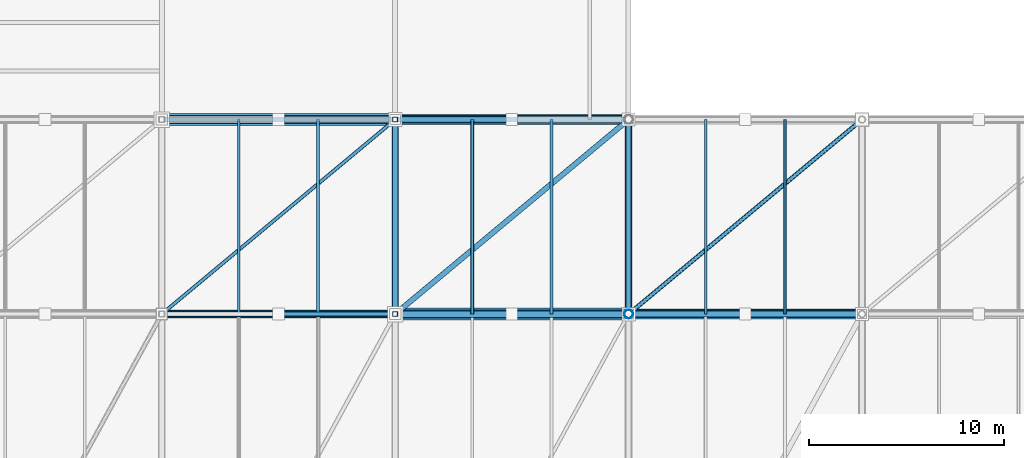
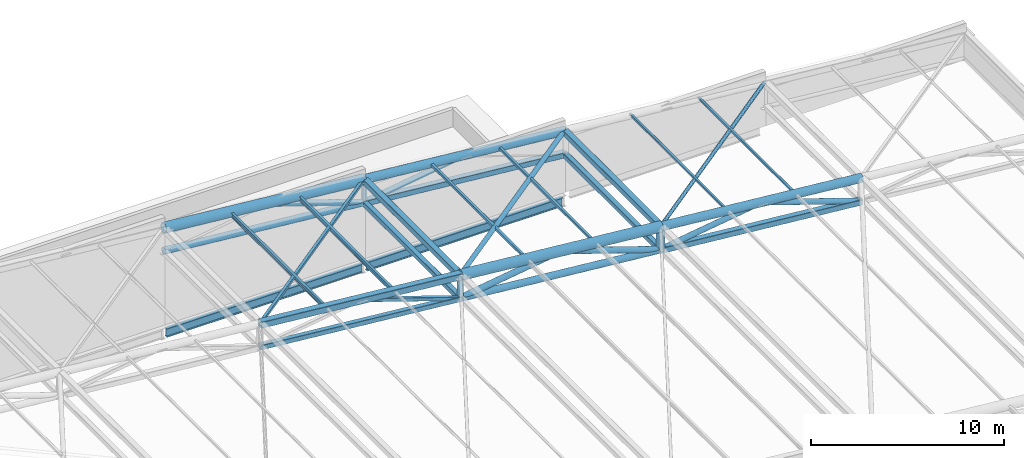
# One storey, part 37 of 44: 33 members, 2 beams.
"""IFC4 building model written with IfcOpenShell, lengths in metres."""

from ifc_helpers import new_model, si_unit, direction, frame, origin, origin_2d, place, context, subcontext, project, spatial, hollow_rectangle, hollow_circle, i_section, extrude, material, material_profile, profile_set, type_object, element, save


model = new_model("IFC4")

# Units and contexts
model_context = context("Model", 3, precision=1e-05, world=origin(), true_north=direction((0.0, 1.0)))
body_context = subcontext(model_context, "Body", "Model", "MODEL_VIEW")
ifc_project = project(units=[si_unit("LENGTHUNIT", "METRE"), si_unit("AREAUNIT", "SQUARE_METRE"), si_unit("VOLUMEUNIT", "CUBIC_METRE"), si_unit("PLANEANGLEUNIT", "RADIAN"), si_unit("MASSUNIT", "GRAM", prefix="KILO")], contexts=[model_context])

# Site, building, storey
site_placement = place(None, origin())
site = spatial("IfcSite", under=ifc_project, at=site_placement, CompositionType="ELEMENT")
building_placement = place(site_placement, origin())
building = spatial("IfcBuilding", under=site, at=building_placement, Name="Brinegate Civic Arena", CompositionType="ELEMENT")
storey_placement = place(building_placement, frame((0.0, 0.0, 29.39990234375)))
storey = spatial("IfcBuildingStorey", under=building, at=storey_placement, Name="RF", CompositionType="ELEMENT", Elevation=29.39990234375)

# Members
ifc_material = material(Name="Steel S355", Category="steel")
ifc_material_profile_1 = material_profile(ifc_material, hollow_rectangle(XDim=0.139892578125, YDim=0.139892578125, WallThickness=0.008056640625, InnerFilletRadius=0.008056640625, OuterFilletRadius=0.01611328125, at=origin_2d()), Name="SHS140X8")
ifc_profile_set_1 = profile_set([ifc_material_profile_1], Name="Steel S355")
member_type_1 = type_object("IfcMemberType", Name="RF-PURLIN-SHS140", PredefinedType="PURLIN", material=ifc_profile_set_1)
for number, where, z_axis, x_axis, name in (
    (1, (135.9599609375, 104.0, 3.47412109375), (0.0, 1.0, 0.0), (-1.0, 0.0, 0.0), "Roof Purlin RFP-123"),
    (2, (140.0400390625, 104.0, 3.091064453125), (0.0, 1.0, 0.0), (-1.0, 0.0, 0.0), "Roof Purlin RFP-124"),
):
    element("IfcMember", number, at=place(storey_placement, frame(where, z_axis=z_axis, x_axis=x_axis)), inside=storey, type_object=member_type_1, Name=name, PredefinedType="PURLIN", context=body_context, shape_type="SweptSolid", body=[
        extrude(hollow_rectangle(XDim=0.139892578125, YDim=0.139892578125, WallThickness=0.008056640625, InnerFilletRadius=0.008056640625, OuterFilletRadius=0.01611328125, at=origin_2d()), origin(), (0.0, 0.0, 1.0), 10.0),
    ])
ifc_material_profile_2 = material_profile(ifc_material, hollow_rectangle(XDim=0.159912109375, YDim=0.159912109375, WallThickness=0.008056640625, InnerFilletRadius=0.008056640625, OuterFilletRadius=0.01611328125, at=origin_2d()), Name="SHS160X8")
ifc_profile_set_2 = profile_set([ifc_material_profile_2], Name="Steel S355")
member_type_2 = type_object("IfcMemberType", Name="RF-PURLIN-SHS160", PredefinedType="PURLIN", material=ifc_profile_set_2)
for number, where, z_axis, x_axis, name in (
    (3, (123.9599609375, 104.0, 4.589111328125), (0.0, 1.0, 0.0), (-1.0, 0.0, 0.0), "Roof Purlin RFP-121"),
    (4, (128.0400390625, 104.0, 4.2060546875), (0.0, 1.0, 0.0), (-1.0, 0.0, 0.0), "Roof Purlin RFP-122"),
):
    element("IfcMember", number, at=place(storey_placement, frame(where, z_axis=z_axis, x_axis=x_axis)), inside=storey, type_object=member_type_2, Name=name, PredefinedType="PURLIN", context=body_context, shape_type="SweptSolid", body=[
        extrude(hollow_rectangle(XDim=0.159912109375, YDim=0.159912109375, WallThickness=0.008056640625, InnerFilletRadius=0.008056640625, OuterFilletRadius=0.01611328125, at=origin_2d()), origin(), (0.0, 0.0, 1.0), 10.0),
    ])
ifc_material_profile_3 = material_profile(ifc_material, i_section(OverallWidth=0.14794921875, OverallDepth=0.26611328125, WebThickness=0.008056640625, FlangeThickness=0.012939453125, FilletRadius=0.011962890625, at=origin_2d()), Name="W250X45")
ifc_profile_set_3 = profile_set([ifc_material_profile_3], Name="Steel S355")
member_type_3 = type_object("IfcMemberType", Name="RF-PURLIN-W250", PredefinedType="PURLIN", material=ifc_profile_set_3)
for number, where, z_axis, x_axis, name in (
    (5, (111.9599609375, 104.0, 5.6611328125), (0.0, 1.0, 0.0), (-1.0, 0.0, 0.0), "Roof Purlin RFP-119"),
    (6, (116.0400390625, 104.0, 5.278076171875), (0.0, 1.0, 0.0), (-1.0, 0.0, 0.0), "Roof Purlin RFP-120"),
):
    element("IfcMember", number, at=place(storey_placement, frame(where, z_axis=z_axis, x_axis=x_axis)), inside=storey, type_object=member_type_3, Name=name, PredefinedType="PURLIN", context=body_context, shape_type="SweptSolid", body=[
        extrude(i_section(OverallWidth=0.14794921875, OverallDepth=0.26611328125, WebThickness=0.008056640625, FlangeThickness=0.012939453125, FilletRadius=0.011962890625, at=origin_2d()), origin(), (0.0, 0.0, 1.0), 10.0),
    ])
ifc_material_profile_4 = material_profile(ifc_material, hollow_circle(Radius=0.109619140625, WallThickness=0.010009765625, at=origin_2d()), Name="CHS219X10")
ifc_profile_set_4 = profile_set([ifc_material_profile_4], Name="Steel S355")
member_type_4 = type_object("IfcMemberType", Name="SF-BRACE-CHS219", PredefinedType="BRACE", material=ifc_profile_set_4)
member_1_placement = place(storey_placement, frame((132.0, 104.0, 3.800048828125), z_axis=(0.766236619907, 0.638530516589, -0.071834683116), x_axis=(-0.640184399664, 0.768221279597, 0.0)))
element("IfcMember", 7, at=member_1_placement, inside=storey, type_object=member_type_4, Name="Roof Plan Diagonal Brace PL-7-8", PredefinedType="BRACE", context=body_context, shape_type="SweptSolid", body=[
    extrude(hollow_circle(Radius=0.109619140625, WallThickness=0.010009765625, at=origin_2d()), origin(), (0.0, 0.0, 1.0), 15.660888671875),
])
ifc_material_profile_5 = material_profile(ifc_material, hollow_circle(Radius=0.136474609375, WallThickness=0.011962890625, at=origin_2d()), Name="CHS273X12")
ifc_profile_set_5 = profile_set([ifc_material_profile_5], Name="Steel S355")
member_type_5 = type_object("IfcMemberType", Name="SF-BRACE-CHS273", PredefinedType="BRACE", material=ifc_profile_set_5)
member_2_placement = place(storey_placement, frame((120.0, 104.0, 4.925048828125), z_axis=(0.766236619907, 0.638530516589, -0.071834683116), x_axis=(-0.640184399664, 0.768221279597, 0.0)))
element("IfcMember", 8, at=member_2_placement, inside=storey, type_object=member_type_5, Name="Roof Plan Diagonal Brace PL-7-7", PredefinedType="BRACE", context=body_context, shape_type="SweptSolid", body=[
    extrude(hollow_circle(Radius=0.136474609375, WallThickness=0.011962890625, at=origin_2d()), origin(), (0.0, 0.0, 1.0), 15.660888671875),
])
ifc_material_profile_6 = material_profile(ifc_material, hollow_circle(Radius=0.162109375, WallThickness=0.011962890625, at=origin_2d()), Name="CHS324X12")
ifc_profile_set_6 = profile_set([ifc_material_profile_6], Name="Steel S355")
member_type_6 = type_object("IfcMemberType", Name="SF-BRACE-CHS324", PredefinedType="BRACE", material=ifc_profile_set_6)
member_3_placement = place(storey_placement, frame((132.0, 104.0, 2.35009765625), z_axis=(0.989226142737, 0.0, 0.1463954867), x_axis=(0.0, 1.0, 0.0)))
element("IfcMember", 9, at=member_3_placement, inside=storey, type_object=member_type_6, Name="Space Frame Web Brace D1-7-8", PredefinedType="BRACE", context=body_context, shape_type="SweptSolid", body=[
    extrude(hollow_circle(Radius=0.162109375, WallThickness=0.011962890625, at=origin_2d()), origin(), (0.0, 0.0, 1.0), 6.0654296875),
])
member_4_placement = place(storey_placement, frame((138.0, 104.0, 3.238037109375), z_axis=(0.948068139281, 0.0, -0.318067293635), x_axis=(0.0, 1.0, 0.0)))
element("IfcMember", 10, at=member_4_placement, inside=storey, type_object=member_type_6, Name="Space Frame Web Brace D2-7-8", PredefinedType="BRACE", context=body_context, shape_type="SweptSolid", body=[
    extrude(hollow_circle(Radius=0.162109375, WallThickness=0.011962890625, at=origin_2d()), origin(), (0.0, 0.0, 1.0), 6.32861328125),
])
member_5_placement = place(storey_placement, frame((120.0, 114.0, 3.47509765625), z_axis=(0.989226142737, 0.0, 0.1463954867), x_axis=(0.0, 1.0, 0.0)))
element("IfcMember", 11, at=member_5_placement, inside=storey, type_object=member_type_6, Name="Space Frame Web Brace D1-8-7", PredefinedType="BRACE", context=body_context, shape_type="SweptSolid", body=[
    extrude(hollow_circle(Radius=0.162109375, WallThickness=0.011962890625, at=origin_2d()), origin(), (0.0, 0.0, 1.0), 6.0654296875),
])
ifc_material_profile_7 = material_profile(ifc_material, hollow_circle(Radius=0.177978515625, WallThickness=0.013916015625, at=origin_2d()), Name="CHS356X14")
ifc_profile_set_7 = profile_set([ifc_material_profile_7], Name="Steel S355")
member_type_7 = type_object("IfcMemberType", Name="SF-BRACE-CHS356", PredefinedType="BRACE", material=ifc_profile_set_7)
member_6_placement = place(storey_placement, frame((120.0, 104.0, 3.47509765625), z_axis=(0.989226142737, 0.0, 0.1463954867), x_axis=(0.0, 1.0, 0.0)))
element("IfcMember", 12, at=member_6_placement, inside=storey, type_object=member_type_7, Name="Space Frame Web Brace D1-7-7", PredefinedType="BRACE", context=body_context, shape_type="SweptSolid", body=[
    extrude(hollow_circle(Radius=0.177978515625, WallThickness=0.013916015625, at=origin_2d()), origin(), (0.0, 0.0, 1.0), 6.0654296875),
])
for number, where, z_axis, x_axis, name in (
    (13, (126.0, 104.0, 4.363037109375), (0.948068139281, 0.0, -0.318067293635), (0.0, 1.0, 0.0), "Space Frame Web Brace D2-7-7"),
    (14, (114.0, 114.0, 5.488037109375), (0.948068139281, 0.0, -0.318067293635), (0.0, 1.0, 0.0), "Space Frame Web Brace D2-8-6"),
):
    element("IfcMember", number, at=place(storey_placement, frame(where, z_axis=z_axis, x_axis=x_axis)), inside=storey, type_object=member_type_7, Name=name, PredefinedType="BRACE", context=body_context, shape_type="SweptSolid", body=[
        extrude(hollow_circle(Radius=0.177978515625, WallThickness=0.013916015625, at=origin_2d()), origin(), (0.0, 0.0, 1.0), 6.32861328125),
    ])
ifc_material_profile_8 = material_profile(ifc_material, hollow_rectangle(XDim=0.179931640625, YDim=0.179931640625, WallThickness=0.010009765625, InnerFilletRadius=0.010009765625, OuterFilletRadius=0.02001953125, at=origin_2d()), Name="SHS180X10")
ifc_profile_set_8 = profile_set([ifc_material_profile_8], Name="Steel S355")
member_type_8 = type_object("IfcMemberType", Name="SF-BRACE-SHS180", PredefinedType="BRACE", material=ifc_profile_set_8)
member_7_placement = place(storey_placement, frame((108.0, 104.0, 6.050048828125), z_axis=(0.766236619907, 0.638530516589, -0.071834683116), x_axis=(-0.640184399664, 0.768221279597, 0.0)))
element("IfcMember", 15, at=member_7_placement, inside=storey, type_object=member_type_8, Name="Roof Plan Diagonal Brace PL-7-6", PredefinedType="BRACE", context=body_context, shape_type="SweptSolid", body=[
    extrude(hollow_rectangle(XDim=0.179931640625, YDim=0.179931640625, WallThickness=0.010009765625, InnerFilletRadius=0.010009765625, OuterFilletRadius=0.02001953125, at=origin_2d()), origin(), (0.0, 0.0, 1.0), 15.660888671875),
])
ifc_material_profile_9 = material_profile(ifc_material, hollow_rectangle(XDim=0.219970703125, YDim=0.219970703125, WallThickness=0.011962890625, InnerFilletRadius=0.011962890625, OuterFilletRadius=0.02392578125, at=origin_2d()), Name="SHS220X12")
ifc_profile_set_9 = profile_set([ifc_material_profile_9], Name="Steel S355")
member_type_9 = type_object("IfcMemberType", Name="SF-BRACE-SHS220", PredefinedType="BRACE", material=ifc_profile_set_9)
member_8_placement = place(storey_placement, frame((114.0, 104.0, 5.488037109375), z_axis=(0.948068139281, 0.0, -0.318067293635), x_axis=(0.0, 1.0, 0.0)))
element("IfcMember", 16, at=member_8_placement, inside=storey, type_object=member_type_9, Name="Space Frame Web Brace D2-7-6", PredefinedType="BRACE", context=body_context, shape_type="SweptSolid", body=[
    extrude(hollow_rectangle(XDim=0.219970703125, YDim=0.219970703125, WallThickness=0.011962890625, InnerFilletRadius=0.011962890625, OuterFilletRadius=0.02392578125, at=origin_2d()), origin(), (0.0, 0.0, 1.0), 6.32861328125),
])
ifc_material_profile_10 = material_profile(ifc_material, hollow_circle(Radius=0.202880859375, WallThickness=0.01611328125, at=origin_2d()), Name="CHS406X16")
ifc_profile_set_10 = profile_set([ifc_material_profile_10], Name="Steel S355")
member_type_10 = type_object("IfcMemberType", Name="SF-CHORD-CHS406", PredefinedType="CHORD", material=ifc_profile_set_10)
for number, where, z_axis, x_axis, name in (
    (17, (120.0, 104.0, 3.47509765625), (0.995634226059, 0.0, -0.093340708693), (0.0, 1.0, 0.0), "Space Frame Bottom Chord BX-7-7"),
    (18, (108.0, 114.0, 4.60009765625), (0.995634226059, 0.0, -0.093340708693), (0.0, 1.0, 0.0), "Space Frame Bottom Chord BX-8-6"),
):
    element("IfcMember", number, at=place(storey_placement, frame(where, z_axis=z_axis, x_axis=x_axis)), inside=storey, type_object=member_type_10, Name=name, PredefinedType="CHORD", context=body_context, shape_type="SweptSolid", body=[
        extrude(hollow_circle(Radius=0.202880859375, WallThickness=0.01611328125, at=origin_2d()), origin(), (0.0, 0.0, 1.0), 12.052734375),
    ])
ifc_material_profile_11 = material_profile(ifc_material, hollow_circle(Radius=0.25390625, WallThickness=0.02001953125, at=origin_2d()), Name="CHS508X20")
ifc_profile_set_11 = profile_set([ifc_material_profile_11], Name="Steel S355")
member_type_11 = type_object("IfcMemberType", Name="SF-CHORD-CHS508", PredefinedType="CHORD", material=ifc_profile_set_11)
for number, where, z_axis, x_axis, name in (
    (19, (132.0, 104.0, 3.800048828125), (0.995634226059, 0.0, -0.093340708693), (0.0, 1.0, 0.0), "Space Frame Top Chord TX-7-8"),
    (20, (120.0, 114.0, 4.925048828125), (0.995634226059, 0.0, -0.093340708693), (0.0, 1.0, 0.0), "Space Frame Top Chord TX-8-7"),
):
    element("IfcMember", number, at=place(storey_placement, frame(where, z_axis=z_axis, x_axis=x_axis)), inside=storey, type_object=member_type_11, Name=name, PredefinedType="CHORD", context=body_context, shape_type="SweptSolid", body=[
        extrude(hollow_circle(Radius=0.25390625, WallThickness=0.02001953125, at=origin_2d()), origin(), (0.0, 0.0, 1.0), 12.052734375),
    ])
ifc_material_profile_12 = material_profile(ifc_material, hollow_circle(Radius=0.304931640625, WallThickness=0.02490234375, at=origin_2d()), Name="CHS610X25")
ifc_profile_set_12 = profile_set([ifc_material_profile_12], Name="Steel S355")
member_type_12 = type_object("IfcMemberType", Name="SF-CHORD-CHS610", PredefinedType="CHORD", material=ifc_profile_set_12)
for number, where, z_axis, x_axis, name in (
    (21, (120.0, 104.0, 4.925048828125), (0.995634226059, 0.0, -0.093340708693), (0.0, 1.0, 0.0), "Space Frame Top Chord TX-7-7"),
    (22, (108.0, 114.0, 6.050048828125), (0.995634226059, 0.0, -0.093340708693), (0.0, 1.0, 0.0), "Space Frame Top Chord TX-8-6"),
):
    element("IfcMember", number, at=place(storey_placement, frame(where, z_axis=z_axis, x_axis=x_axis)), inside=storey, type_object=member_type_12, Name=name, PredefinedType="CHORD", context=body_context, shape_type="SweptSolid", body=[
        extrude(hollow_circle(Radius=0.304931640625, WallThickness=0.02490234375, at=origin_2d()), origin(), (0.0, 0.0, 1.0), 12.052734375),
    ])
ifc_material_profile_13 = material_profile(ifc_material, hollow_rectangle(XDim=0.300048828125, YDim=0.300048828125, WallThickness=0.01611328125, InnerFilletRadius=0.01611328125, OuterFilletRadius=0.031982421875, at=origin_2d()), Name="SHS300X16")
ifc_profile_set_13 = profile_set([ifc_material_profile_13], Name="Steel S355")
member_type_13 = type_object("IfcMemberType", Name="SF-CHORD-SHS300", PredefinedType="CHORD", material=ifc_profile_set_13)
member_9_placement = place(storey_placement, frame((108.0, 104.0, 4.60009765625), z_axis=(0.995634226059, 0.0, -0.093340708693), x_axis=(0.0, 1.0, 0.0)))
element("IfcMember", 23, at=member_9_placement, inside=storey, type_object=member_type_13, Name="Space Frame Bottom Chord BX-7-6", PredefinedType="CHORD", context=body_context, shape_type="SweptSolid", body=[
    extrude(hollow_rectangle(XDim=0.300048828125, YDim=0.300048828125, WallThickness=0.01611328125, InnerFilletRadius=0.01611328125, OuterFilletRadius=0.031982421875, at=origin_2d()), origin(), (0.0, 0.0, 1.0), 12.052734375),
])
for number, where, z_axis, x_axis, name in (
    (24, (120.0, 104.0, 3.47509765625), (0.0, 1.0, 0.0), (-1.0, 0.0, 0.0), "Space Frame Cross Bottom Chord BY-7-7"),
    (25, (132.0, 104.0, 2.35009765625), (0.0, 1.0, 0.0), (-1.0, 0.0, 0.0), "Space Frame Cross Bottom Chord BY-7-8"),
):
    element("IfcMember", number, at=place(storey_placement, frame(where, z_axis=z_axis, x_axis=x_axis)), inside=storey, type_object=member_type_13, Name=name, PredefinedType="CHORD", context=body_context, shape_type="SweptSolid", body=[
        extrude(hollow_rectangle(XDim=0.300048828125, YDim=0.300048828125, WallThickness=0.01611328125, InnerFilletRadius=0.01611328125, OuterFilletRadius=0.031982421875, at=origin_2d()), origin(), (0.0, 0.0, 1.0), 10.0),
    ])
ifc_material_profile_14 = material_profile(ifc_material, hollow_rectangle(XDim=0.35009765625, YDim=0.35009765625, WallThickness=0.01611328125, InnerFilletRadius=0.01611328125, OuterFilletRadius=0.031982421875, at=origin_2d()), Name="SHS350X16")
ifc_profile_set_14 = profile_set([ifc_material_profile_14], Name="Steel S355")
member_type_14 = type_object("IfcMemberType", Name="SF-CHORD-SHS350", PredefinedType="CHORD", material=ifc_profile_set_14)
for number, where, z_axis, x_axis, name in (
    (26, (132.0, 104.0, 2.35009765625), (0.995634226059, 0.0, -0.093340708693), (0.0, 1.0, 0.0), "Space Frame Bottom Chord BX-7-8"),
    (27, (120.0, 114.0, 3.47509765625), (0.995634226059, 0.0, -0.093340708693), (0.0, 1.0, 0.0), "Space Frame Bottom Chord BX-8-7"),
):
    element("IfcMember", number, at=place(storey_placement, frame(where, z_axis=z_axis, x_axis=x_axis)), inside=storey, type_object=member_type_14, Name=name, PredefinedType="CHORD", context=body_context, shape_type="SweptSolid", body=[
        extrude(hollow_rectangle(XDim=0.35009765625, YDim=0.35009765625, WallThickness=0.01611328125, InnerFilletRadius=0.01611328125, OuterFilletRadius=0.031982421875, at=origin_2d()), origin(), (0.0, 0.0, 1.0), 12.052734375),
    ])
for number, where, z_axis, x_axis, name in (
    (28, (120.0, 104.0, 4.925048828125), (0.0, 1.0, 0.0), (-1.0, 0.0, 0.0), "Space Frame Cross Top Chord TY-7-7"),
    (29, (132.0, 104.0, 3.800048828125), (0.0, 1.0, 0.0), (-1.0, 0.0, 0.0), "Space Frame Cross Top Chord TY-7-8"),
):
    element("IfcMember", number, at=place(storey_placement, frame(where, z_axis=z_axis, x_axis=x_axis)), inside=storey, type_object=member_type_14, Name=name, PredefinedType="CHORD", context=body_context, shape_type="SweptSolid", body=[
        extrude(hollow_rectangle(XDim=0.35009765625, YDim=0.35009765625, WallThickness=0.01611328125, InnerFilletRadius=0.01611328125, OuterFilletRadius=0.031982421875, at=origin_2d()), origin(), (0.0, 0.0, 1.0), 10.0),
    ])
ifc_material_profile_15 = material_profile(ifc_material, hollow_rectangle(XDim=0.39990234375, YDim=0.39990234375, WallThickness=0.02001953125, InnerFilletRadius=0.02001953125, OuterFilletRadius=0.0400390625, at=origin_2d()), Name="SHS400X20")
ifc_profile_set_15 = profile_set([ifc_material_profile_15], Name="Steel S355")
member_type_15 = type_object("IfcMemberType", Name="SF-CHORD-SHS400", PredefinedType="CHORD", material=ifc_profile_set_15)
member_10_placement = place(storey_placement, frame((108.0, 104.0, 6.050048828125), z_axis=(0.995634226059, 0.0, -0.093340708693), x_axis=(0.0, 1.0, 0.0)))
element("IfcMember", 30, at=member_10_placement, inside=storey, type_object=member_type_15, Name="Space Frame Top Chord TX-7-6", PredefinedType="CHORD", context=body_context, shape_type="SweptSolid", body=[
    extrude(hollow_rectangle(XDim=0.39990234375, YDim=0.39990234375, WallThickness=0.02001953125, InnerFilletRadius=0.02001953125, OuterFilletRadius=0.0400390625, at=origin_2d()), origin(), (0.0, 0.0, 1.0), 12.052734375),
])
ifc_material_profile_16 = material_profile(ifc_material, hollow_circle(Radius=0.228515625, WallThickness=0.01611328125, at=origin_2d()), Name="CHS457X16")
ifc_profile_set_16 = profile_set([ifc_material_profile_16], Name="Steel S355")
member_type_16 = type_object("IfcMemberType", Name="SF-STRUT-CHS457", PredefinedType="STRUT", material=ifc_profile_set_16)
member_11_placement = place(storey_placement, frame((132.0, 104.0, 2.35009765625), z_axis=(0.0, 0.0, 1.0), x_axis=(1.0, 0.0, 0.0)))
element("IfcMember", 31, at=member_11_placement, inside=storey, type_object=member_type_16, Name="Space Frame Vertical Post V-7-8", PredefinedType="STRUT", context=body_context, shape_type="SweptSolid", body=[
    extrude(hollow_circle(Radius=0.228515625, WallThickness=0.01611328125, at=origin_2d()), origin(), (0.0, 0.0, 1.0), 1.449951171875),
])
ifc_material_profile_17 = material_profile(ifc_material, hollow_rectangle(XDim=0.25, YDim=0.25, WallThickness=0.011962890625, InnerFilletRadius=0.011962890625, OuterFilletRadius=0.02392578125, at=origin_2d()), Name="SHS250X12")
ifc_profile_set_17 = profile_set([ifc_material_profile_17], Name="Steel S355")
member_type_17 = type_object("IfcMemberType", Name="SF-STRUT-SHS250", PredefinedType="STRUT", material=ifc_profile_set_17)
for number, where, z_axis, x_axis, name in (
    (32, (120.0, 104.0, 3.47509765625), (0.0, 0.0, 1.0), (1.0, 0.0, 0.0), "Space Frame Vertical Post V-7-7"),
    (33, (120.0, 114.0, 3.47509765625), (0.0, 0.0, 1.0), (1.0, 0.0, 0.0), "Space Frame Vertical Post V-8-7"),
):
    element("IfcMember", number, at=place(storey_placement, frame(where, z_axis=z_axis, x_axis=x_axis)), inside=storey, type_object=member_type_17, Name=name, PredefinedType="STRUT", context=body_context, shape_type="SweptSolid", body=[
        extrude(hollow_rectangle(XDim=0.25, YDim=0.25, WallThickness=0.011962890625, InnerFilletRadius=0.011962890625, OuterFilletRadius=0.02392578125, at=origin_2d()), origin(), (0.0, 0.0, 1.0), 1.449951171875),
    ])

# Beams
ifc_material_profile_18 = material_profile(ifc_material, i_section(OverallWidth=0.2119140625, OverallDepth=0.5439453125, WebThickness=0.012939453125, FlangeThickness=0.02099609375, FilletRadius=0.01611328125, at=origin_2d()), Name="W530X123")
ifc_profile_set_18 = profile_set([ifc_material_profile_18], Name="Steel S355")
beam_type = type_object("IfcBeamType", Name="SPANDREL-W530X123", PredefinedType="SPANDREL", material=ifc_profile_set_18)
for number, where, z_axis, x_axis, name in (
    (34, (108.1298828125, 114.0, -0.61181640625), (1.0, 0.0, 0.0), (0.0, 1.0, 0.0), "Portal Roof Spandrel PGX-16"),
    (35, (120.1298828125, 114.0, -0.61181640625), (1.0, 0.0, 0.0), (0.0, 1.0, 0.0), "Portal Roof Spandrel PGX-18"),
):
    element("IfcBeam", number, at=place(storey_placement, frame(where, z_axis=z_axis, x_axis=x_axis)), inside=storey, type_object=beam_type, Name=name, PredefinedType="SPANDREL", context=body_context, shape_type="SweptSolid", body=[
        extrude(i_section(OverallWidth=0.2119140625, OverallDepth=0.5439453125, WebThickness=0.012939453125, FlangeThickness=0.02099609375, FilletRadius=0.01611328125, at=origin_2d()), origin(), (0.0, 0.0, 1.0), 11.740234375),
    ])

save(model, "model.ifc")
